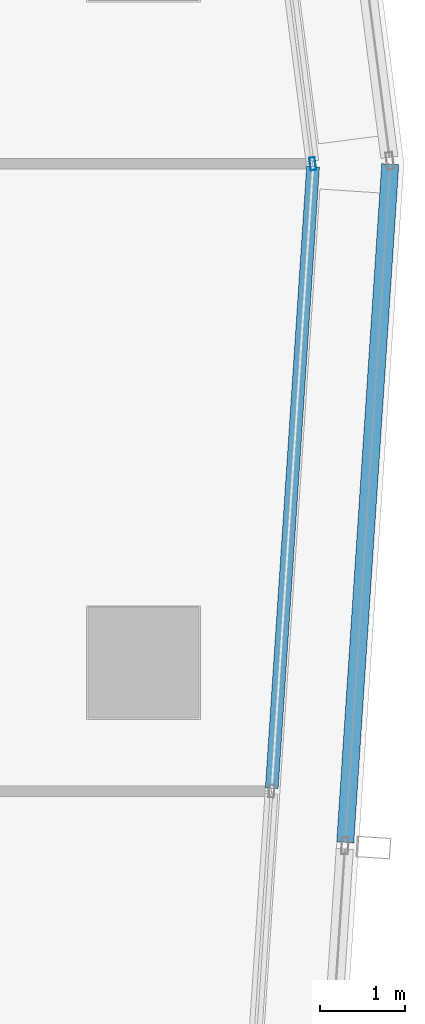
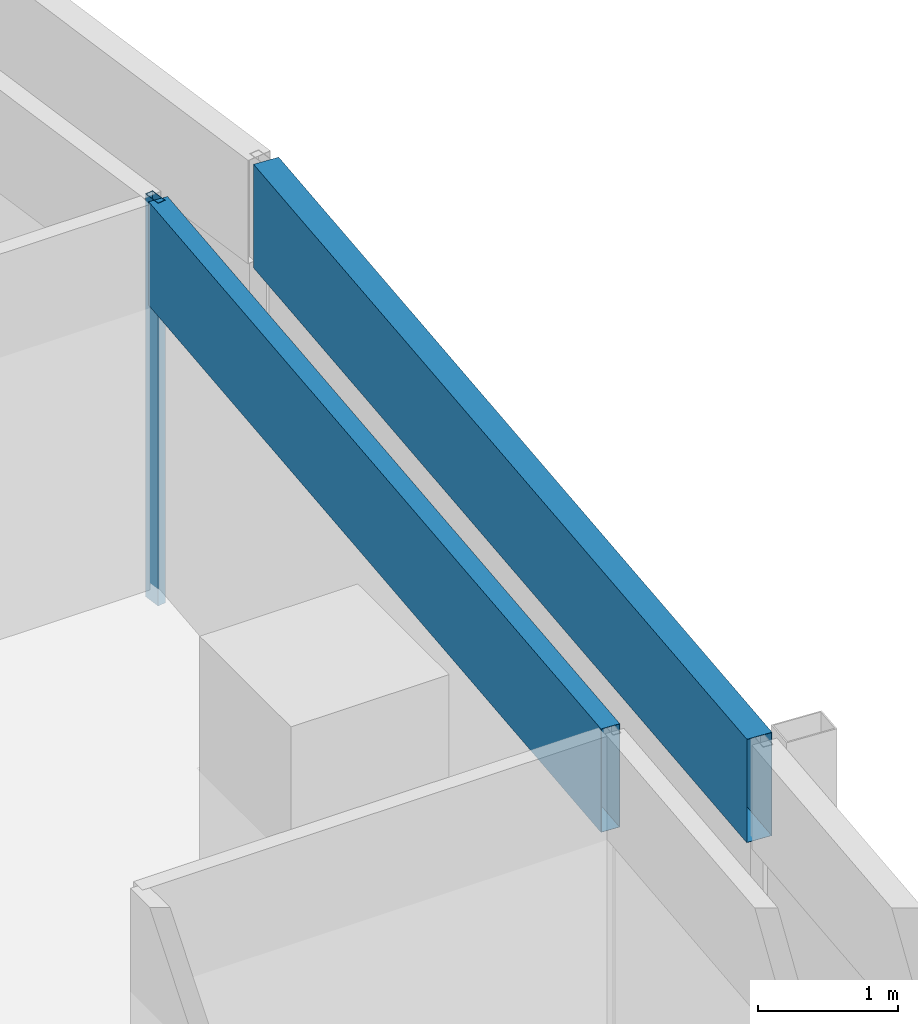
# One storey, part 11 of 28: 3 members, 3 elements without a shape of their own.
"""IFC4 building model written with IfcOpenShell, lengths in metres."""

from ifc_helpers import new_model, si_unit, direction, frame, origin, origin_2d, place, context, subcontext, project, spatial, hollow_rectangle, extrude, material, material_profile, profile_set, type_object, element, aggregate, save


model = new_model("IFC4")

# Units and contexts
model_context = context("Model", 3, precision=1e-05, world=origin(), true_north=direction((0.0, 1.0)))
body_context = subcontext(model_context, "Body", "Model", "MODEL_VIEW")
ifc_project = project(units=[si_unit("LENGTHUNIT", "METRE"), si_unit("AREAUNIT", "SQUARE_METRE"), si_unit("VOLUMEUNIT", "CUBIC_METRE"), si_unit("PLANEANGLEUNIT", "RADIAN"), si_unit("MASSUNIT", "GRAM", prefix="KILO")], contexts=[model_context])

# Site, building, storey
site_placement = place(None, origin())
site = spatial("IfcSite", under=ifc_project, at=site_placement, CompositionType="ELEMENT")
building_placement = place(site_placement, origin())
building = spatial("IfcBuilding", under=site, at=building_placement, Name="Rekha Terrace Tower", CompositionType="ELEMENT")
storey_placement = place(building_placement, frame((0.0, 0.0, 268.85009765625)))
storey = spatial("IfcBuildingStorey", under=building, at=storey_placement, Name="L68", CompositionType="ELEMENT", Elevation=268.85009765625)

# Curtain wall, member
ifc_material_1 = material(Name="Aluminium framing", Category="aluminium")
curtain_wall_type_1 = type_object("IfcCurtainWallType", Name="CW1 double skin inner glazing", PredefinedType="USERDEFINED", material=ifc_material_1)
curtain_wall_1_placement = place(storey_placement, origin())
curtain_wall_1 = element("IfcCurtainWall", 1, at=curtain_wall_1_placement, inside=storey, type_object=curtain_wall_type_1, Name="CW1 double skin inner glazing", ObjectType="DOUBLE SKIN INNER GLAZING", PredefinedType="USERDEFINED")
ifc_material_2 = material(Name="Aluminium mullion section", Category="aluminium")
ifc_material_profile_1 = material_profile(ifc_material_2, hollow_rectangle(XDim=0.06494140625, YDim=0.14990234375, WallThickness=0.00390625, at=origin_2d()), Name="AL RHS 65x150")
ifc_profile_set_1 = profile_set([ifc_material_profile_1], Name="Aluminium mullion section")
member_type_1 = type_object("IfcMemberType", Name="CW1 mullion RHS 65 x 150", PredefinedType="MULLION", material=ifc_profile_set_1)
member_1_placement = place(storey_placement, frame((60.78125, 39.439208984375, 0.0), z_axis=(0.0, 0.0, 1.0), x_axis=(-0.991790949472, -0.127869904766, 0.0)))
member_1 = element("IfcMember", 2, at=member_1_placement, type_object=member_type_1, Name="CW1 mullion 1", PredefinedType="MULLION", context=body_context, shape_type="SweptSolid", body=[
    extrude(hollow_rectangle(XDim=0.06494140625, YDim=0.14990234375, WallThickness=0.00390625, at=origin_2d()), origin(), (0.0, 0.0, 1.0), 3.5),
])
aggregate(curtain_wall_1, [member_1])

curtain_wall_2_placement = place(storey_placement, origin())
curtain_wall_2 = element("IfcCurtainWall", 3, at=curtain_wall_2_placement, inside=storey, type_object=curtain_wall_type_1, Name="CW1 double skin inner glazing", ObjectType="DOUBLE SKIN INNER GLAZING", PredefinedType="USERDEFINED")
ifc_material_3 = material(Name="Insulated aluminium spandrel box", Category="aluminium")
ifc_material_profile_2 = material_profile(ifc_material_3, hollow_rectangle(XDim=0.14990234375, YDim=0.89990234375, WallThickness=0.0029296875, at=origin_2d()), Name="AL SPANDREL BOX 150x900")
ifc_profile_set_2 = profile_set([ifc_material_profile_2], Name="Insulated aluminium spandrel box")
member_type_2 = type_object("IfcMemberType", Name="CW1 spandrel transom 150 x 900", PredefinedType="USERDEFINED", material=ifc_profile_set_2)
member_2_placement = place(storey_placement, frame((60.302001953125, 32.129150390625, 3.0498046875), z_axis=(0.066274633038, 0.99780141963, 0.0), x_axis=(-0.99780141963, 0.066274633038, 0.0)))
member_2 = element("IfcMember", 4, at=member_2_placement, type_object=member_type_2, Name="CW1 spandrel transom 3", ObjectType="TRANSOM", PredefinedType="USERDEFINED", context=body_context, shape_type="SweptSolid", body=[
    extrude(hollow_rectangle(XDim=0.14990234375, YDim=0.89990234375, WallThickness=0.0029296875, at=origin_2d()), origin(), (0.0, 0.0, 1.0), 7.2939453125),
])
aggregate(curtain_wall_2, [member_2])

curtain_wall_type_2 = type_object("IfcCurtainWallType", Name="CW2 double skin outer glazing", PredefinedType="USERDEFINED", material=ifc_material_1)
curtain_wall_3_placement = place(storey_placement, origin())
curtain_wall_3 = element("IfcCurtainWall", 5, at=curtain_wall_3_placement, inside=storey, type_object=curtain_wall_type_2, Name="CW2 double skin outer glazing", ObjectType="DOUBLE SKIN OUTER GLAZING", PredefinedType="USERDEFINED")
ifc_material_profile_3 = material_profile(ifc_material_3, hollow_rectangle(XDim=0.199951171875, YDim=0.89990234375, WallThickness=0.0029296875, at=origin_2d()), Name="AL SPANDREL BOX 200x900")
ifc_profile_set_3 = profile_set([ifc_material_profile_3], Name="Insulated aluminium spandrel box")
member_type_3 = type_object("IfcMemberType", Name="CW2 spandrel transom 200 x 900", PredefinedType="USERDEFINED", material=ifc_profile_set_3)
member_3_placement = place(storey_placement, frame((61.162109375, 31.497314453125, 3.0498046875), z_axis=(0.066258284658, 0.997802505366, 0.0), x_axis=(-0.997802505366, 0.066258284658, 0.0)))
member_3 = element("IfcMember", 6, at=member_3_placement, type_object=member_type_3, Name="CW2 spandrel transom 3", ObjectType="TRANSOM", PredefinedType="USERDEFINED", context=body_context, shape_type="SweptSolid", body=[
    extrude(hollow_rectangle(XDim=0.199951171875, YDim=0.89990234375, WallThickness=0.0029296875, at=origin_2d()), origin(), (0.0, 0.0, 1.0), 7.955322265625),
])
aggregate(curtain_wall_3, [member_3])

save(model, "model.ifc")
